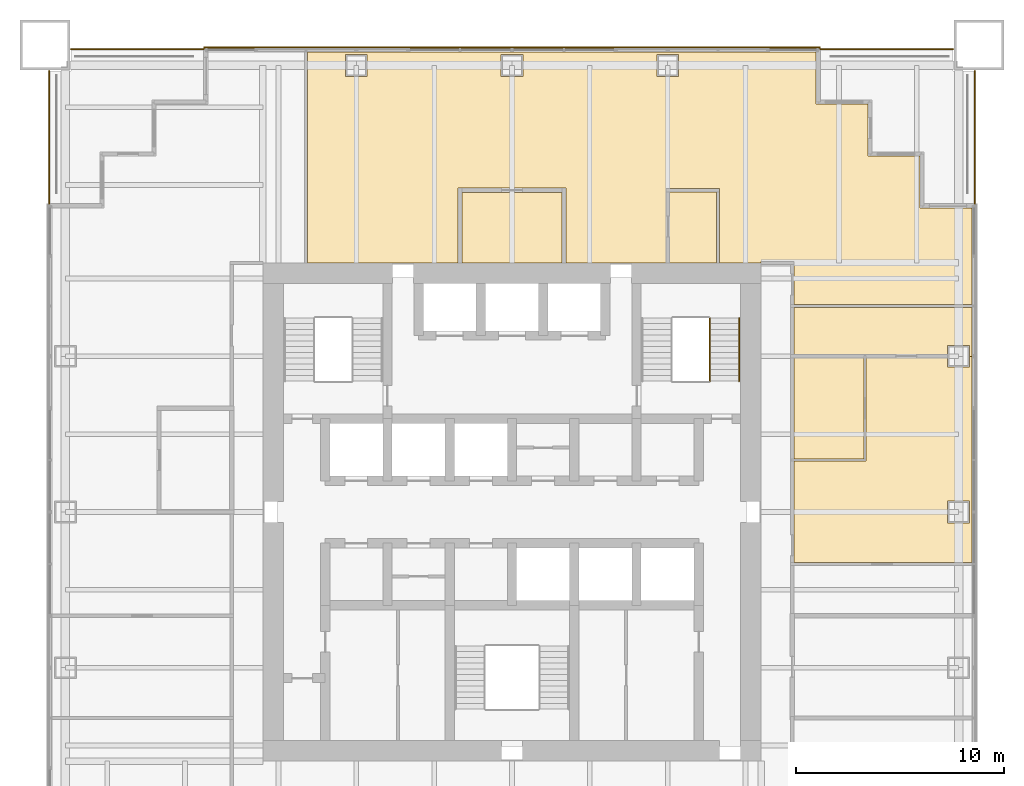
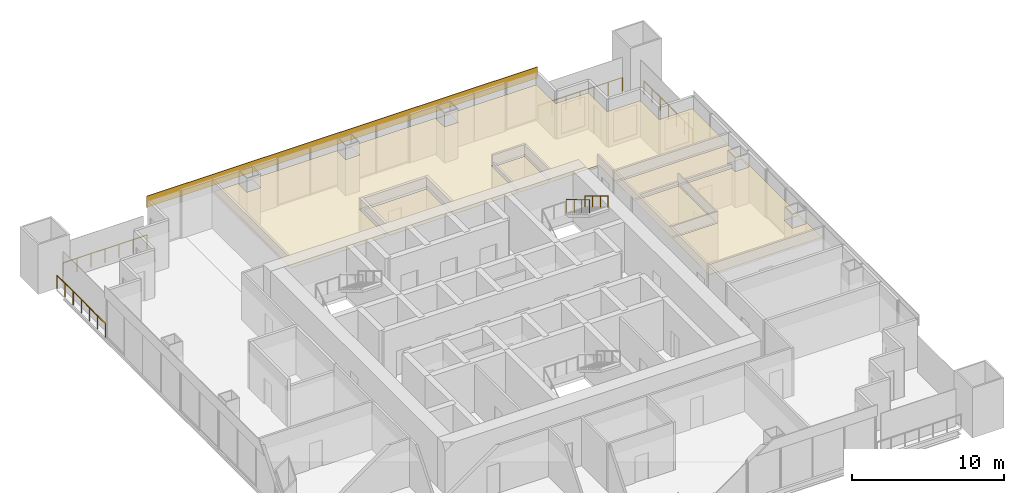
# One storey, part 13 of 13: 7 coverings, 6 railings.
"""IFC4 building model written with IfcOpenShell, lengths in metres."""

import ifcopenshell
import ifcopenshell.guid

model = None  # the IFC model being written
_history = None  # IfcOwnerHistory: only IFC2X3 demands one
_inside = {}  # id of a spatial element -> (the spatial element, [elements in it])
_under = {}  # id of a project, library or spatial element -> (it, [spatial elements below it])
_declared = {}  # id of a project -> (the project, [libraries it declares])
_typed = {}  # id of a type object -> (the type object, [elements of that type])
_made_of = {}  # id of a material, layer set ... -> (it, [elements and type objects made of it])


def new_model(schema):
    """Start an empty IFC model of exactly this schema.

    Asked for "IFC4X3", IfcOpenShell would pick the latest addendum, in which some entities
    have other attributes; the version numbers below select the first issue.
    IFC2X3 requires an IfcOwnerHistory on every rooted entity: one is made here for all.
    """
    global model, _history
    if schema == "IFC4X3":
        model = ifcopenshell.file(schema_version=(4, 3, 0, 0))
    else:
        model = ifcopenshell.file(schema=schema)
    _inside.clear()
    _under.clear()
    _declared.clear()
    _typed.clear()
    _made_of.clear()
    _history = None
    if model.schema == "IFC2X3":
        org = make("IfcOrganization", Name="unknown")
        user = make(
            "IfcPersonAndOrganization",
            ThePerson=make("IfcPerson", FamilyName="unknown"),
            TheOrganization=org,
        )
        app = make(
            "IfcApplication",
            ApplicationDeveloper=org,
            Version="unknown",
            ApplicationFullName="unknown",
            ApplicationIdentifier="unknown",
        )
        _history = make(
            "IfcOwnerHistory",
            OwningUser=user,
            OwningApplication=app,
            ChangeAction="ADDED",
            CreationDate=0,
        )
    return model


def make(cls, **values):
    """One entity of the class cls with the attributes given. An attribute that is None is left unset."""
    return model.create_entity(
        cls, **{name: value for name, value in values.items() if value is not None}
    )


def rooted(cls, **values):
    """An entity with a GlobalId (a new one), such as an element, a storey or a relation."""
    return make(cls, GlobalId=ifcopenshell.guid.new(), OwnerHistory=_history, **values)


def si_unit(unit_type, name, prefix=None):
    """IfcSIUnit, for example si_unit("LENGTHUNIT", "METRE", prefix="MILLI")."""
    return make("IfcSIUnit", UnitType=unit_type, Prefix=prefix, Name=name)


def assignment(units):
    """IfcUnitAssignment: the units of a project."""
    return None if units is None else make("IfcUnitAssignment", Units=units)


def point(xyz):
    """IfcCartesianPoint."""
    return None if xyz is None else make("IfcCartesianPoint", Coordinates=xyz)


def direction(xyz):
    """IfcDirection."""
    return None if xyz is None else make("IfcDirection", DirectionRatios=xyz)


def frame(location, z_axis=None, x_axis=None):
    """IfcAxis2Placement3D, a coordinate frame: its origin and axes. An axis left out is left unset."""
    return make(
        "IfcAxis2Placement3D",
        Location=point(location),
        Axis=direction(z_axis),
        RefDirection=direction(x_axis),
    )


def frame_2d(location, x_axis=None):
    """IfcAxis2Placement2D, a coordinate frame in the plane: its origin and x axis."""
    return make(
        "IfcAxis2Placement2D", Location=point(location), RefDirection=direction(x_axis)
    )


def origin():
    """The frame at (0, 0, 0) with its axes left unset."""
    return frame((0.0, 0.0, 0.0))


def origin_2d():
    """The frame at (0, 0) in the plane with its x axis left unset."""
    return frame_2d((0.0, 0.0))


def place(relative_to, where):
    """IfcLocalPlacement: puts the frame where relative to a parent placement (None: the world)."""
    return make(
        "IfcLocalPlacement", PlacementRelTo=relative_to, RelativePlacement=where
    )


def context(
    kind, dimensions, precision=None, world=None, true_north=None, identifier=None
):
    """IfcGeometricRepresentationContext, for example the 3D "Model" context."""
    return make(
        "IfcGeometricRepresentationContext",
        ContextIdentifier=identifier,
        ContextType=kind,
        CoordinateSpaceDimension=dimensions,
        Precision=precision,
        WorldCoordinateSystem=world,
        TrueNorth=true_north,
    )


def subcontext(parent, identifier, kind, view, scale=None):
    """IfcGeometricRepresentationSubContext, for example "Body" below "Model"."""
    return make(
        "IfcGeometricRepresentationSubContext",
        ContextIdentifier=identifier,
        ContextType=kind,
        ParentContext=parent,
        TargetScale=scale,
        TargetView=view,
    )


def project(units=None, contexts=None):
    """IfcProject with its units and contexts."""
    return rooted(
        "IfcProject",
        Name="project",
        RepresentationContexts=contexts,
        UnitsInContext=assignment(units),
    )


def spatial(cls, under=None, at=None, **own):
    """A site, building, storey or space (cls), placed at a placement, below another one or the project."""
    s = rooted(cls, ObjectPlacement=at, **own)
    if under is not None:
        _under.setdefault(under.id(), (under, []))[1].append(s)
    return s


def polyline(points):
    """IfcPolyline through the points."""
    return make("IfcPolyline", Points=[point(p) for p in points])


def profile(cls, at=None, kind="AREA", **sizes):
    """A parametric profile (cls). Its sizes go by their IFC names, for example OverallWidth=200.0."""
    return make(cls, ProfileType=kind, Position=at, **sizes)


def rectangle(**sizes):
    """IfcRectangleProfileDef."""
    return profile("IfcRectangleProfileDef", **sizes)


def circle(**sizes):
    """IfcCircleProfileDef."""
    return profile("IfcCircleProfileDef", **sizes)


def outline(outer, holes=None, kind="AREA"):
    """IfcArbitraryClosedProfileDef: a profile drawn as a closed curve; with holes, ...WithVoids."""
    if holes is None:
        return make("IfcArbitraryClosedProfileDef", ProfileType=kind, OuterCurve=outer)
    return make(
        "IfcArbitraryProfileDefWithVoids",
        ProfileType=kind,
        OuterCurve=outer,
        InnerCurves=holes,
    )


def extrude(swept, where, along, depth):
    """IfcExtrudedAreaSolid: the profile swept, set in the frame where, extruded along a direction by depth."""
    return make(
        "IfcExtrudedAreaSolid",
        SweptArea=swept,
        Position=where,
        ExtrudedDirection=direction(along),
        Depth=depth,
    )


def shape(context_of_items, identifier, shape_type, items):
    """IfcShapeRepresentation: the items that make up one representation, for example the "Body"."""
    return make(
        "IfcShapeRepresentation",
        ContextOfItems=context_of_items,
        RepresentationIdentifier=identifier,
        RepresentationType=shape_type,
        Items=items,
    )


def material(Name=None, Category=None):
    """IfcMaterial."""
    return make("IfcMaterial", Name=Name, Category=Category)


def layer(
    of_material, thickness, ventilated=None, Name=None, Category=None, Priority=None
):
    """IfcMaterialLayer: one layer of a wall or slab, of a material (None: an air gap)."""
    return make(
        "IfcMaterialLayer",
        Material=of_material,
        LayerThickness=thickness,
        IsVentilated=ventilated,
        Name=Name,
        Category=Category,
        Priority=Priority,
    )


def layer_set(layers, Name=None):
    """IfcMaterialLayerSet."""
    return make("IfcMaterialLayerSet", MaterialLayers=layers, LayerSetName=Name)


def made_of(thing, what):
    """Note that an element or type object is made of a material, layer set ...; save() writes the relation."""
    if what is not None:
        _made_of.setdefault(what.id(), (what, []))[1].append(thing)
    return thing


def type_object(cls, material=None, **own):
    """A type object (cls), such as IfcWallType, which elements share."""
    return made_of(rooted(cls, **own), material)


def element(
    cls,
    number,
    at=None,
    inside=None,
    cuts=None,
    type_object=None,
    material=None,
    context=None,
    identifier="Body",
    shape_type=None,
    held_by="IfcProductDefinitionShape",
    body=None,
    shapes=None,
    **own,
):
    """One element of the class cls, such as IfcWall. Its Tag is "e" and its number.

    at: its placement. inside: the storey or other place that contains it. cuts: it is an
    opening in that element (IfcRelVoidsElement). A single representation is given by context,
    identifier, shape_type and body (its items); several are given by shapes. held_by: the class
    of the entity that holds the representations. save() writes the other relations.
    """
    e = rooted(cls, Tag="e%d" % number, ObjectPlacement=at, **own)
    if body is not None:
        shapes = [shape(context, identifier, shape_type, body)]
    if shapes is not None:
        e.Representation = make(held_by, Representations=shapes)
    if inside is not None:
        _inside.setdefault(inside.id(), (inside, []))[1].append(e)
    if cuts is not None:
        rooted(
            "IfcRelVoidsElement", RelatingBuildingElement=cuts, RelatedOpeningElement=e
        )
    if type_object is not None:
        _typed.setdefault(type_object.id(), (type_object, []))[1].append(e)
    return made_of(e, material)


def aggregate(whole, parts):
    """IfcRelAggregates: a whole, such as a stair, and the parts it consists of."""
    return rooted("IfcRelAggregates", RelatingObject=whole, RelatedObjects=parts)


def save(model, path):
    """Write the relations noted so far, then the file.

    IfcRelAggregates (storeys below a building ...), IfcRelContainedInSpatialStructure (elements
    in a storey), IfcRelDefinesByType, IfcRelAssociatesMaterial and IfcRelDeclares: one each for
    every whole, place, type object, material and project.
    """
    for whole, parts in _under.values():
        aggregate(whole, parts)
    for where, things in _inside.values():
        rooted(
            "IfcRelContainedInSpatialStructure",
            RelatedElements=things,
            RelatingStructure=where,
        )
    for kind, things in _typed.values():
        rooted("IfcRelDefinesByType", RelatedObjects=things, RelatingType=kind)
    for what, things in _made_of.values():
        rooted("IfcRelAssociatesMaterial", RelatedObjects=things, RelatingMaterial=what)
    for by, libraries in _declared.values():
        rooted("IfcRelDeclares", RelatingContext=by, RelatedDefinitions=libraries)
    model.write(path)


model = new_model("IFC4")

# Units and contexts
model_context = context("Model", 3, precision=1e-05, world=origin(), true_north=direction((0.0, 1.0)))
body_context = subcontext(model_context, "Body", "Model", "MODEL_VIEW")
ifc_project = project(units=[si_unit("LENGTHUNIT", "METRE"), si_unit("AREAUNIT", "SQUARE_METRE"), si_unit("VOLUMEUNIT", "CUBIC_METRE"), si_unit("PLANEANGLEUNIT", "RADIAN"), si_unit("MASSUNIT", "GRAM", prefix="KILO")], contexts=[model_context])

# Site, building, storey
site_placement = place(None, origin())
site = spatial("IfcSite", under=ifc_project, at=site_placement, CompositionType="ELEMENT")
building_placement = place(site_placement, origin())
building = spatial("IfcBuilding", under=site, at=building_placement, Name="Tarangal Relay Tower", CompositionType="ELEMENT")
storey_placement = place(building_placement, frame((0.0, 0.0, 201.89990234375)))
storey = spatial("IfcBuildingStorey", under=building, at=storey_placement, Name="L42", CompositionType="ELEMENT", Elevation=201.89990234375)

# Covering
ifc_material_1 = material(Name="Black anodised aluminium cladding", Category="aluminium")
ifc_layer_1 = layer(ifc_material_1, 0.050048828125)
ifc_layer_set_1 = layer_set([ifc_layer_1], Name="Black metal spandrel band")
covering_type_1 = type_object("IfcCoveringType", Name="Black metal spandrel band", PredefinedType="CLADDING", material=ifc_layer_set_1)
covering_1_placement = place(storey_placement, frame((0.0, 22.375, 3.250244140625), z_axis=(0.0, 0.0, 1.0), x_axis=(1.0, 0.0, 0.0)))
element("IfcCovering", 1, at=covering_1_placement, inside=storey, type_object=covering_type_1, Name="Spandrel band SB1 N L42", PredefinedType="CLADDING", context=body_context, shape_type="SweptSolid", body=[
    extrude(rectangle(XDim=29.699951171875, YDim=0.050048828125, at=origin_2d()), origin(), (0.0, 0.0, 1.0), 0.89990234375),
])

# Railings
ifc_material_2 = material(Name="Steel guard, black finish", Category="steel")
railing_type_1 = type_object("IfcRailingType", Name="Stair guard 1100", PredefinedType="GUARDRAIL", material=ifc_material_2)
railing_1_placement = place(storey_placement, frame((9.530029296875, 9.346923828125, 2.166748046875)))
element("IfcRailing", 2, at=railing_1_placement, inside=storey, type_object=railing_type_1, Name="Stair ST-B guard GR1 L42 flight 2", PredefinedType="GUARDRAIL", context=body_context, shape_type="SweptSolid", body=[
    extrude(circle(Radius=0.02392578125, at=origin_2d()), frame((0.0, 0.0, 1.076171875), z_axis=(0.0, -0.85685617095, 0.515555527858), x_axis=(1.0, 0.0, 0.0)), (0.0, 0.0, 1.0), 3.555908203125),
    extrude(circle(Radius=0.02099609375, at=origin_2d()), origin(), (0.0, 0.0, 1.0), 1.052001953125),
    extrude(circle(Radius=0.02099609375, at=origin_2d()), frame((0.0, -1.015625, 0.611083984375)), (0.0, 0.0, 1.0), 1.052001953125),
    extrude(circle(Radius=0.02099609375, at=origin_2d()), frame((0.0, -2.03125, 1.22216796875)), (0.0, 0.0, 1.0), 1.052001953125),
    extrude(circle(Radius=0.02099609375, at=origin_2d()), frame((0.0, -3.046875, 1.833251953125)), (0.0, 0.0, 1.0), 1.052001953125),
])
ifc_material_3 = material(Name="Steel handrail, black finish", Category="steel")
railing_type_2 = type_object("IfcRailingType", Name="Stair handrail 900", PredefinedType="HANDRAIL", material=ifc_material_3)
railing_2_placement = place(storey_placement, frame((10.93994140625, 9.346923828125, 2.166748046875)))
element("IfcRailing", 3, at=railing_2_placement, inside=storey, type_object=railing_type_2, Name="Stair ST-B handrail HR1 L42 flight 2", PredefinedType="HANDRAIL", context=body_context, shape_type="SweptSolid", body=[
    extrude(circle(Radius=0.02392578125, at=origin_2d()), frame((0.0, 0.0, 0.8759765625), z_axis=(0.0, -0.85685617095, 0.515555527858), x_axis=(1.0, 0.0, 0.0)), (0.0, 0.0, 1.0), 3.555908203125),
    extrude(circle(Radius=0.02099609375, at=origin_2d()), origin(), (0.0, 0.0, 1.0), 0.851806640625),
    extrude(circle(Radius=0.02099609375, at=origin_2d()), frame((0.0, -1.015625, 0.611083984375)), (0.0, 0.0, 1.0), 0.851806640625),
    extrude(circle(Radius=0.02099609375, at=origin_2d()), frame((0.0, -2.03125, 1.22216796875)), (0.0, 0.0, 1.0), 0.851806640625),
    extrude(circle(Radius=0.02099609375, at=origin_2d()), frame((0.0, -3.046875, 1.833251953125)), (0.0, 0.0, 1.0), 0.851806640625),
])

# Coverings
ifc_material_4 = material(Name="Mineral fibre ceiling tiles", Category="gypsum")
ifc_layer_2 = layer(ifc_material_4, 0.02001953125)
ifc_layer_set_2 = layer_set([ifc_layer_2], Name="Suspended ceiling")
covering_type_2 = type_object("IfcCoveringType", Name="Suspended ceiling", PredefinedType="CEILING", material=ifc_layer_set_2)
covering_2_placement = place(storey_placement, frame((0.0, 0.0, 2.900146484375)))
element("IfcCovering", 4, at=covering_2_placement, inside=storey, type_object=covering_type_2, Name="Suspended ceiling CL1 L42-02", PredefinedType="CEILING", context=body_context, shape_type="SweptSolid", body=[
    extrude(outline(polyline([(2.39990234375, 12.0), (2.39990234375, 15.39990234375), (-2.39990234375, 15.39990234375), (-2.39990234375, 12.0), (2.39990234375, 12.0)])), origin(), (0.0, 0.0, 1.0), 0.02001953125),
])
covering_3_placement = place(storey_placement, frame((0.0, 0.0, 2.900146484375)))
element("IfcCovering", 5, at=covering_3_placement, inside=storey, type_object=covering_type_2, Name="Suspended ceiling CL1 L42-03", PredefinedType="CEILING", context=body_context, shape_type="SweptSolid", body=[
    extrude(outline(polyline([(9.842041015625, 12.0), (9.842041015625, 15.425048828125), (7.574951171875, 15.425048828125), (7.574951171875, 12.0), (9.842041015625, 12.0)])), origin(), (0.0, 0.0, 1.0), 0.02001953125),
])
covering_4_placement = place(storey_placement, frame((0.0, 0.0, 2.900146484375)))
element("IfcCovering", 6, at=covering_4_placement, inside=storey, type_object=covering_type_2, Name="Suspended ceiling CL1 L42-04", PredefinedType="CEILING", context=body_context, shape_type="SweptSolid", body=[
    extrude(outline(polyline([(22.14990234375, 7.5), (22.14990234375, 9.842041015625), (13.574951171875, 9.842041015625), (13.574951171875, 7.574951171875), (20.989990234375, 7.574951171875), (20.989990234375, 8.02490234375), (22.0400390625, 8.02490234375), (22.0400390625, 7.5), (22.14990234375, 7.5)])), origin(), (0.0, 0.0, 1.0), 0.02001953125),
])
covering_5_placement = place(storey_placement, frame((0.0, 0.0, 2.900146484375)))
element("IfcCovering", 7, at=covering_5_placement, inside=storey, type_object=covering_type_2, Name="Suspended ceiling CL1 L42-05", PredefinedType="CEILING", context=body_context, shape_type="SweptSolid", body=[
    extrude(outline(polyline([(13.574951171875, 7.425048828125), (13.574951171875, 2.550048828125), (16.949951171875, 2.550048828125), (16.949951171875, 7.425048828125), (13.574951171875, 7.425048828125)])), origin(), (0.0, 0.0, 1.0), 0.02001953125),
])
covering_6_placement = place(storey_placement, frame((0.0, 0.0, 2.900146484375)))
element("IfcCovering", 8, at=covering_6_placement, inside=storey, type_object=covering_type_2, Name="Suspended ceiling CL1 L42-06", PredefinedType="CEILING", context=body_context, shape_type="SweptSolid", body=[
    extrude(outline(polyline([(22.14990234375, 7.5), (22.0400390625, 7.5), (22.0400390625, 6.97509765625), (20.989990234375, 6.97509765625), (20.989990234375, 7.425048828125), (17.050048828125, 7.425048828125), (17.050048828125, 2.449951171875), (13.574951171875, 2.449951171875), (13.574951171875, -2.425048828125), (22.14990234375, -2.425048828125), (22.14990234375, 7.5)]), holes=[polyline([(22.0400390625, -0.52490234375), (22.0400390625, 0.52490234375), (20.989990234375, 0.52490234375), (20.989990234375, -0.52490234375), (22.0400390625, -0.52490234375)])]), origin(), (0.0, 0.0, 1.0), 0.02001953125),
])
covering_7_placement = place(storey_placement, frame((0.0, 0.0, 2.900146484375)))
element("IfcCovering", 9, at=covering_7_placement, inside=storey, type_object=covering_type_2, Name="Suspended ceiling CL1 L42-14", PredefinedType="CEILING", context=body_context, shape_type="SweptSolid", body=[
    extrude(outline(polyline([(7.425048828125, 12.0), (7.425048828125, 15.574951171875), (9.991943359375, 15.574951171875), (9.991943359375, 12.0), (12.0, 12.0), (12.0, 12.074951171875), (13.574951171875, 12.074951171875), (13.574951171875, 9.991943359375), (22.14990234375, 9.991943359375), (22.14990234375, 14.64990234375), (19.64990234375, 14.64990234375), (19.64990234375, 17.14990234375), (17.14990234375, 17.14990234375), (17.14990234375, 19.64990234375), (14.64990234375, 19.64990234375), (14.64990234375, 22.14990234375), (-9.842041015625, 22.14990234375), (-9.842041015625, 12.0), (-2.60009765625, 12.0), (-2.60009765625, 15.60009765625), (2.60009765625, 15.60009765625), (2.60009765625, 12.0), (7.425048828125, 12.0)]), holes=[polyline([(-6.97509765625, 20.989990234375), (-6.97509765625, 22.0400390625), (-8.02490234375, 22.0400390625), (-8.02490234375, 20.989990234375), (-6.97509765625, 20.989990234375)]), polyline([(-0.52490234375, 20.989990234375), (0.52490234375, 20.989990234375), (0.52490234375, 22.0400390625), (-0.52490234375, 22.0400390625), (-0.52490234375, 20.989990234375)]), polyline([(6.97509765625, 20.989990234375), (8.02490234375, 20.989990234375), (8.02490234375, 22.0400390625), (6.97509765625, 22.0400390625), (6.97509765625, 20.989990234375)])]), origin(), (0.0, 0.0, 1.0), 0.02001953125),
])

# Railings
ifc_material_5 = material(Name="Black steel guard with glass infill", Category="steel")
railing_type_3 = type_object("IfcRailingType", Name="Terrace guard 1100", PredefinedType="GUARDRAIL", material=ifc_material_5)
railing_3_placement = place(storey_placement, frame((14.85009765625, 22.300048828125, 0.0)))
element("IfcRailing", 10, at=railing_3_placement, inside=storey, type_object=railing_type_3, Name="Terrace guard GR2 NE L42", PredefinedType="GUARDRAIL", context=body_context, shape_type="SweptSolid", body=[
    extrude(circle(Radius=0.02392578125, at=origin_2d()), frame((0.0, 0.0, 1.076171875), z_axis=(1.0, 0.0, 0.0), x_axis=(0.0, 1.0, 0.0)), (0.0, 0.0, 1.0), 6.39990234375),
    extrude(circle(Radius=0.02099609375, at=origin_2d()), origin(), (0.0, 0.0, 1.0), 1.052001953125),
    extrude(circle(Radius=0.02099609375, at=origin_2d()), frame((1.066650390625, 0.0, 0.0)), (0.0, 0.0, 1.0), 1.052001953125),
    extrude(circle(Radius=0.02099609375, at=origin_2d()), frame((2.13330078125, 0.0, 0.0)), (0.0, 0.0, 1.0), 1.052001953125),
    extrude(circle(Radius=0.02099609375, at=origin_2d()), frame((3.199951171875, 0.0, 0.0)), (0.0, 0.0, 1.0), 1.052001953125),
    extrude(circle(Radius=0.02099609375, at=origin_2d()), frame((4.2666015625, 0.0, 0.0)), (0.0, 0.0, 1.0), 1.052001953125),
    extrude(circle(Radius=0.02099609375, at=origin_2d()), frame((5.333251953125, 0.0, 0.0)), (0.0, 0.0, 1.0), 1.052001953125),
    extrude(circle(Radius=0.02099609375, at=origin_2d()), frame((6.39990234375, 0.0, 0.0)), (0.0, 0.0, 1.0), 1.052001953125),
])
railing_4_placement = place(storey_placement, frame((22.300048828125, 21.25, 0.0)))
element("IfcRailing", 11, at=railing_4_placement, inside=storey, type_object=railing_type_3, Name="Terrace guard GR2 NE L42", PredefinedType="GUARDRAIL", context=body_context, shape_type="SweptSolid", body=[
    extrude(circle(Radius=0.02392578125, at=origin_2d()), frame((0.0, 0.0, 1.076171875), z_axis=(0.0, -1.0, 0.0), x_axis=(1.0, 0.0, 0.0)), (0.0, 0.0, 1.0), 6.39990234375),
    extrude(circle(Radius=0.02099609375, at=origin_2d()), origin(), (0.0, 0.0, 1.0), 1.052001953125),
    extrude(circle(Radius=0.02099609375, at=origin_2d()), frame((0.0, -1.066650390625, 0.0)), (0.0, 0.0, 1.0), 1.052001953125),
    extrude(circle(Radius=0.02099609375, at=origin_2d()), frame((0.0, -2.13330078125, 0.0)), (0.0, 0.0, 1.0), 1.052001953125),
    extrude(circle(Radius=0.02099609375, at=origin_2d()), frame((0.0, -3.199951171875, 0.0)), (0.0, 0.0, 1.0), 1.052001953125),
    extrude(circle(Radius=0.02099609375, at=origin_2d()), frame((0.0, -4.2666015625, 0.0)), (0.0, 0.0, 1.0), 1.052001953125),
    extrude(circle(Radius=0.02099609375, at=origin_2d()), frame((0.0, -5.333251953125, 0.0)), (0.0, 0.0, 1.0), 1.052001953125),
    extrude(circle(Radius=0.02099609375, at=origin_2d()), frame((0.0, -6.39990234375, 0.0)), (0.0, 0.0, 1.0), 1.052001953125),
])
railing_5_placement = place(storey_placement, frame((-22.300048828125, 14.85009765625, 0.0)))
element("IfcRailing", 12, at=railing_5_placement, inside=storey, type_object=railing_type_3, Name="Terrace guard GR2 NW L42", PredefinedType="GUARDRAIL", context=body_context, shape_type="SweptSolid", body=[
    extrude(circle(Radius=0.02392578125, at=origin_2d()), frame((0.0, 0.0, 1.076171875), z_axis=(0.0, 1.0, 0.0), x_axis=(-1.0, 0.0, 0.0)), (0.0, 0.0, 1.0), 6.39990234375),
    extrude(circle(Radius=0.02099609375, at=origin_2d()), origin(), (0.0, 0.0, 1.0), 1.052001953125),
    extrude(circle(Radius=0.02099609375, at=origin_2d()), frame((0.0, 1.066650390625, 0.0)), (0.0, 0.0, 1.0), 1.052001953125),
    extrude(circle(Radius=0.02099609375, at=origin_2d()), frame((0.0, 2.13330078125, 0.0)), (0.0, 0.0, 1.0), 1.052001953125),
    extrude(circle(Radius=0.02099609375, at=origin_2d()), frame((0.0, 3.199951171875, 0.0)), (0.0, 0.0, 1.0), 1.052001953125),
    extrude(circle(Radius=0.02099609375, at=origin_2d()), frame((0.0, 4.2666015625, 0.0)), (0.0, 0.0, 1.0), 1.052001953125),
    extrude(circle(Radius=0.02099609375, at=origin_2d()), frame((0.0, 5.333251953125, 0.0)), (0.0, 0.0, 1.0), 1.052001953125),
    extrude(circle(Radius=0.02099609375, at=origin_2d()), frame((0.0, 6.39990234375, 0.0)), (0.0, 0.0, 1.0), 1.052001953125),
])
railing_6_placement = place(storey_placement, frame((-21.25, 22.300048828125, 0.0)))
element("IfcRailing", 13, at=railing_6_placement, inside=storey, type_object=railing_type_3, Name="Terrace guard GR2 NW L42", PredefinedType="GUARDRAIL", context=body_context, shape_type="SweptSolid", body=[
    extrude(circle(Radius=0.02392578125, at=origin_2d()), frame((0.0, 0.0, 1.076171875), z_axis=(1.0, 0.0, 0.0), x_axis=(0.0, 1.0, 0.0)), (0.0, 0.0, 1.0), 6.39990234375),
    extrude(circle(Radius=0.02099609375, at=origin_2d()), origin(), (0.0, 0.0, 1.0), 1.052001953125),
    extrude(circle(Radius=0.02099609375, at=origin_2d()), frame((1.066650390625, 0.0, 0.0)), (0.0, 0.0, 1.0), 1.052001953125),
    extrude(circle(Radius=0.02099609375, at=origin_2d()), frame((2.13330078125, 0.0, 0.0)), (0.0, 0.0, 1.0), 1.052001953125),
    extrude(circle(Radius=0.02099609375, at=origin_2d()), frame((3.199951171875, 0.0, 0.0)), (0.0, 0.0, 1.0), 1.052001953125),
    extrude(circle(Radius=0.02099609375, at=origin_2d()), frame((4.2666015625, 0.0, 0.0)), (0.0, 0.0, 1.0), 1.052001953125),
    extrude(circle(Radius=0.02099609375, at=origin_2d()), frame((5.333251953125, 0.0, 0.0)), (0.0, 0.0, 1.0), 1.052001953125),
    extrude(circle(Radius=0.02099609375, at=origin_2d()), frame((6.39990234375, 0.0, 0.0)), (0.0, 0.0, 1.0), 1.052001953125),
])

save(model, "model.ifc")
